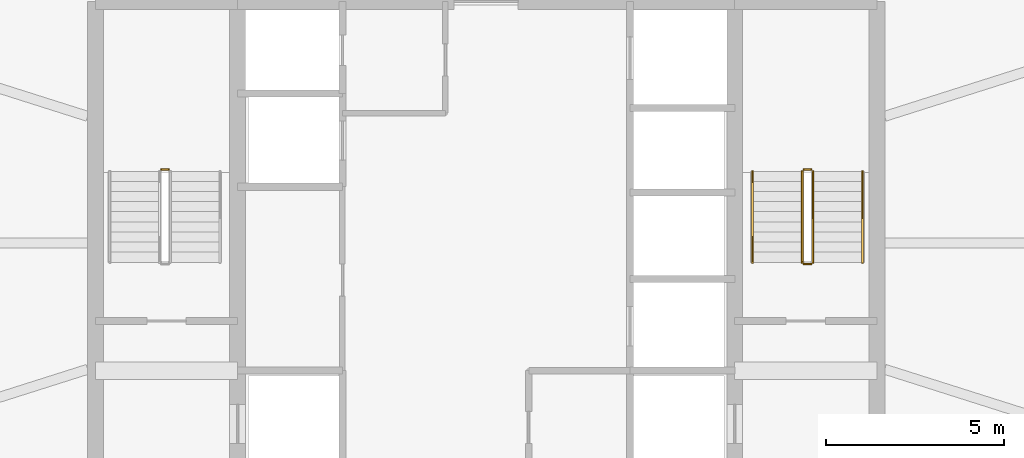
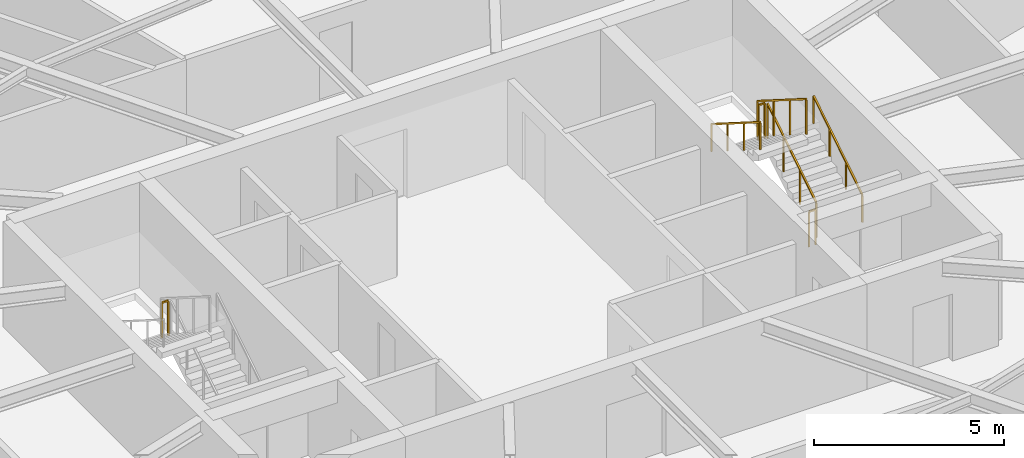
# One storey, part 28 of 28: 7 railings.
"""IFC4 building model written with IfcOpenShell, lengths in metres."""

from ifc_helpers import new_model, si_unit, direction, frame, origin, origin_2d, place, context, subcontext, project, spatial, rectangle, extrude, material, type_object, element, save


model = new_model("IFC4")

# Units and contexts
model_context = context("Model", 3, precision=1e-05, world=origin(), true_north=direction((0.0, 1.0)))
body_context = subcontext(model_context, "Body", "Model", "MODEL_VIEW")
ifc_project = project(units=[si_unit("LENGTHUNIT", "METRE"), si_unit("AREAUNIT", "SQUARE_METRE"), si_unit("VOLUMEUNIT", "CUBIC_METRE"), si_unit("PLANEANGLEUNIT", "RADIAN"), si_unit("MASSUNIT", "GRAM", prefix="KILO")], contexts=[model_context])

# Site, building, storey
site_placement = place(None, origin())
site = spatial("IfcSite", under=ifc_project, at=site_placement, CompositionType="ELEMENT")
building_placement = place(site_placement, origin())
building = spatial("IfcBuilding", under=site, at=building_placement, Name="Sarneth Arch Tower", CompositionType="ELEMENT")
storey_placement = place(building_placement, frame((0.0, 0.0, 183.0)))
storey = spatial("IfcBuildingStorey", under=building, at=storey_placement, Name="L46", CompositionType="ELEMENT", Elevation=183.0)

# Railings
ifc_material_1 = material(Name="Brushed Stainless Steel 304 tubular handrail", Category="steel")
railing_type_1 = type_object("IfcRailingType", Name="RAIL-HANDRAIL-900", PredefinedType="HANDRAIL", material=ifc_material_1)
railing_1_placement = place(storey_placement, frame((58.60009765625, 41.449951171875, 0.179931640625)))
element("IfcRailing", 1, at=railing_1_placement, inside=storey, type_object=railing_type_1, Name="L46 ST-2 stair handrail 1", PredefinedType="HANDRAIL", context=body_context, shape_type="SweptSolid", body=[
    extrude(rectangle(XDim=0.048095703125, YDim=0.048095703125, at=origin_2d()), frame((0.0, 0.0, 0.8759765625), z_axis=(0.0, 0.845465955043, 0.534029323973), x_axis=(-1.0, 0.0, 0.0)), (0.0, 0.0, 1.0), 3.03369140625),
    extrude(rectangle(XDim=0.0419921875, YDim=0.0419921875, at=origin_2d()), origin(), (0.0, 0.0, 1.0), 0.851806640625),
    extrude(rectangle(XDim=0.0419921875, YDim=0.0419921875, at=origin_2d()), frame((0.0, 0.85498046875, 0.5400390625)), (0.0, 0.0, 1.0), 0.851806640625),
    extrude(rectangle(XDim=0.0419921875, YDim=0.0419921875, at=origin_2d()), frame((0.0, 1.7099609375, 1.080078125)), (0.0, 0.0, 1.0), 0.851806640625),
    extrude(rectangle(XDim=0.0419921875, YDim=0.0419921875, at=origin_2d()), frame((0.0, 2.56494140625, 1.6201171875)), (0.0, 0.0, 1.0), 0.851806640625),
])
railing_2_placement = place(storey_placement, frame((55.5, 44.014892578125, 1.97998046875)))
element("IfcRailing", 2, at=railing_2_placement, inside=storey, type_object=railing_type_1, Name="L46 ST-2 stair handrail 2", PredefinedType="HANDRAIL", context=body_context, shape_type="SweptSolid", body=[
    extrude(rectangle(XDim=0.048095703125, YDim=0.048095703125, at=origin_2d()), frame((0.0, 0.0, 0.8759765625), z_axis=(0.0, -0.845465955043, 0.534029323973), x_axis=(1.0, 0.0, 0.0)), (0.0, 0.0, 1.0), 3.03369140625),
    extrude(rectangle(XDim=0.0419921875, YDim=0.0419921875, at=origin_2d()), origin(), (0.0, 0.0, 1.0), 0.851806640625),
    extrude(rectangle(XDim=0.0419921875, YDim=0.0419921875, at=origin_2d()), frame((0.0, -0.85498046875, 0.5400390625)), (0.0, 0.0, 1.0), 0.851806640625),
    extrude(rectangle(XDim=0.0419921875, YDim=0.0419921875, at=origin_2d()), frame((0.0, -1.7099609375, 1.080078125)), (0.0, 0.0, 1.0), 0.851806640625),
    extrude(rectangle(XDim=0.0419921875, YDim=0.0419921875, at=origin_2d()), frame((0.0, -2.56494140625, 1.6201171875)), (0.0, 0.0, 1.0), 0.851806640625),
])
ifc_material_2 = material(Name="Painted Steel S275 stair well guard", Category="steel")
railing_type_2 = type_object("IfcRailingType", Name="RAIL-STAIR-GUARD", PredefinedType="GUARDRAIL", material=ifc_material_2)
railing_3_placement = place(storey_placement, frame((39.050048828125, 44.06494140625, 1.800048828125)))
element("IfcRailing", 3, at=railing_3_placement, inside=storey, type_object=railing_type_2, Name="L46 ST-1 stair guard 2", PredefinedType="GUARDRAIL", context=body_context, shape_type="SweptSolid", body=[
    extrude(rectangle(XDim=0.048095703125, YDim=0.048095703125, at=origin_2d()), frame((0.0, 0.0, 1.1259765625), z_axis=(-1.0, 0.0, 0.0), x_axis=(0.0, -1.0, 0.0)), (0.0, 0.0, 1.0), 0.199951171875),
    extrude(rectangle(XDim=0.0419921875, YDim=0.0419921875, at=origin_2d()), origin(), (0.0, 0.0, 1.0), 1.101806640625),
    extrude(rectangle(XDim=0.0419921875, YDim=0.0419921875, at=origin_2d()), frame((-0.199951171875, 0.0, 0.0)), (0.0, 0.0, 1.0), 1.101806640625),
])
railing_4_placement = place(storey_placement, frame((57.199951171875, 41.449951171875, 0.179931640625)))
element("IfcRailing", 4, at=railing_4_placement, inside=storey, type_object=railing_type_2, Name="L46 ST-2 stair guard 1", PredefinedType="GUARDRAIL", context=body_context, shape_type="SweptSolid", body=[
    extrude(rectangle(XDim=0.048095703125, YDim=0.048095703125, at=origin_2d()), frame((0.0, 0.0, 1.1259765625), z_axis=(0.0, 0.845465955043, 0.534029323973), x_axis=(-1.0, 0.0, 0.0)), (0.0, 0.0, 1.0), 3.03369140625),
    extrude(rectangle(XDim=0.0419921875, YDim=0.0419921875, at=origin_2d()), origin(), (0.0, 0.0, 1.0), 1.101806640625),
    extrude(rectangle(XDim=0.0419921875, YDim=0.0419921875, at=origin_2d()), frame((0.0, 0.85498046875, 0.5400390625)), (0.0, 0.0, 1.0), 1.101806640625),
    extrude(rectangle(XDim=0.0419921875, YDim=0.0419921875, at=origin_2d()), frame((0.0, 1.7099609375, 1.080078125)), (0.0, 0.0, 1.0), 1.101806640625),
    extrude(rectangle(XDim=0.0419921875, YDim=0.0419921875, at=origin_2d()), frame((0.0, 2.56494140625, 1.6201171875)), (0.0, 0.0, 1.0), 1.101806640625),
])
railing_5_placement = place(storey_placement, frame((57.14990234375, 44.06494140625, 1.800048828125)))
element("IfcRailing", 5, at=railing_5_placement, inside=storey, type_object=railing_type_2, Name="L46 ST-2 stair guard 2", PredefinedType="GUARDRAIL", context=body_context, shape_type="SweptSolid", body=[
    extrude(rectangle(XDim=0.048095703125, YDim=0.048095703125, at=origin_2d()), frame((0.0, 0.0, 1.1259765625), z_axis=(-1.0, 0.0, 0.0), x_axis=(0.0, -1.0, 0.0)), (0.0, 0.0, 1.0), 0.199951171875),
    extrude(rectangle(XDim=0.0419921875, YDim=0.0419921875, at=origin_2d()), origin(), (0.0, 0.0, 1.0), 1.101806640625),
    extrude(rectangle(XDim=0.0419921875, YDim=0.0419921875, at=origin_2d()), frame((-0.199951171875, 0.0, 0.0)), (0.0, 0.0, 1.0), 1.101806640625),
])
railing_6_placement = place(storey_placement, frame((56.89990234375, 44.014892578125, 1.97998046875)))
element("IfcRailing", 6, at=railing_6_placement, inside=storey, type_object=railing_type_2, Name="L46 ST-2 stair guard 3", PredefinedType="GUARDRAIL", context=body_context, shape_type="SweptSolid", body=[
    extrude(rectangle(XDim=0.048095703125, YDim=0.048095703125, at=origin_2d()), frame((0.0, 0.0, 1.1259765625), z_axis=(0.0, -0.845465955043, 0.534029323973), x_axis=(1.0, 0.0, 0.0)), (0.0, 0.0, 1.0), 3.03369140625),
    extrude(rectangle(XDim=0.0419921875, YDim=0.0419921875, at=origin_2d()), origin(), (0.0, 0.0, 1.0), 1.101806640625),
    extrude(rectangle(XDim=0.0419921875, YDim=0.0419921875, at=origin_2d()), frame((0.0, -0.85498046875, 0.5400390625)), (0.0, 0.0, 1.0), 1.101806640625),
    extrude(rectangle(XDim=0.0419921875, YDim=0.0419921875, at=origin_2d()), frame((0.0, -1.7099609375, 1.080078125)), (0.0, 0.0, 1.0), 1.101806640625),
    extrude(rectangle(XDim=0.0419921875, YDim=0.0419921875, at=origin_2d()), frame((0.0, -2.56494140625, 1.6201171875)), (0.0, 0.0, 1.0), 1.101806640625),
])
railing_7_placement = place(storey_placement, frame((57.14990234375, 41.39990234375, 0.0)))
element("IfcRailing", 7, at=railing_7_placement, inside=storey, type_object=railing_type_2, Name="L46 ST-2 stair guard 4", PredefinedType="GUARDRAIL", context=body_context, shape_type="SweptSolid", body=[
    extrude(rectangle(XDim=0.048095703125, YDim=0.048095703125, at=origin_2d()), frame((0.0, 0.0, 1.1259765625), z_axis=(-1.0, 0.0, 0.0), x_axis=(0.0, -1.0, 0.0)), (0.0, 0.0, 1.0), 0.199951171875),
    extrude(rectangle(XDim=0.0419921875, YDim=0.0419921875, at=origin_2d()), origin(), (0.0, 0.0, 1.0), 1.101806640625),
    extrude(rectangle(XDim=0.0419921875, YDim=0.0419921875, at=origin_2d()), frame((-0.199951171875, 0.0, 0.0)), (0.0, 0.0, 1.0), 1.101806640625),
])

save(model, "model.ifc")
